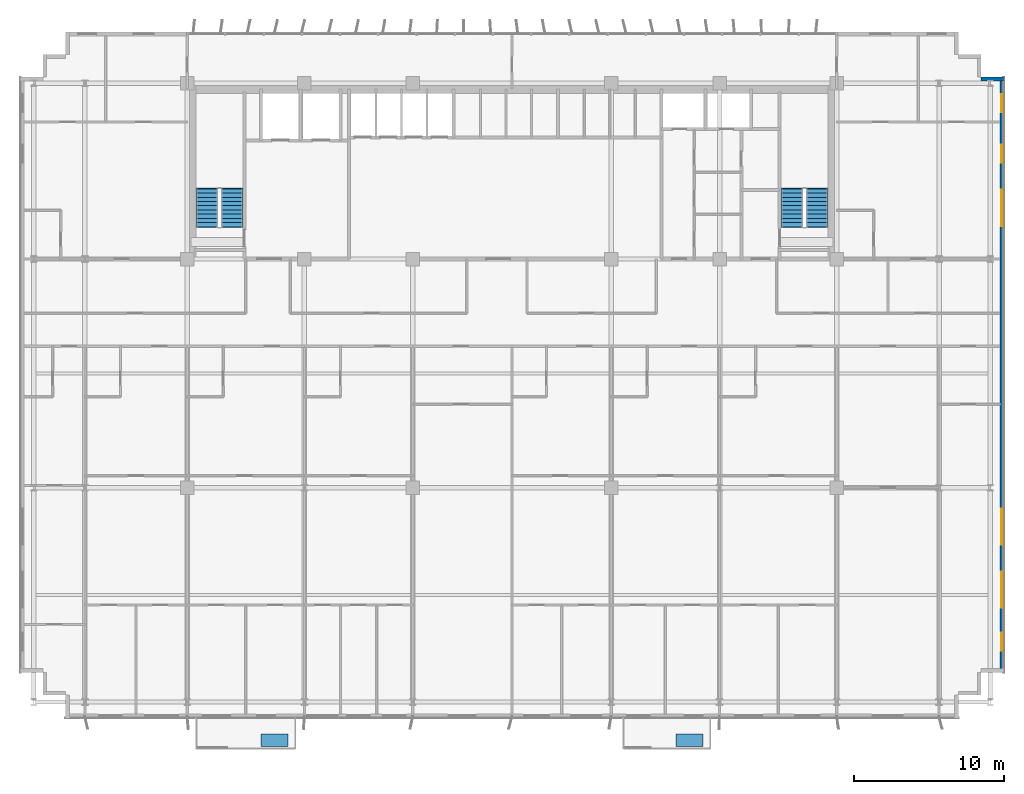
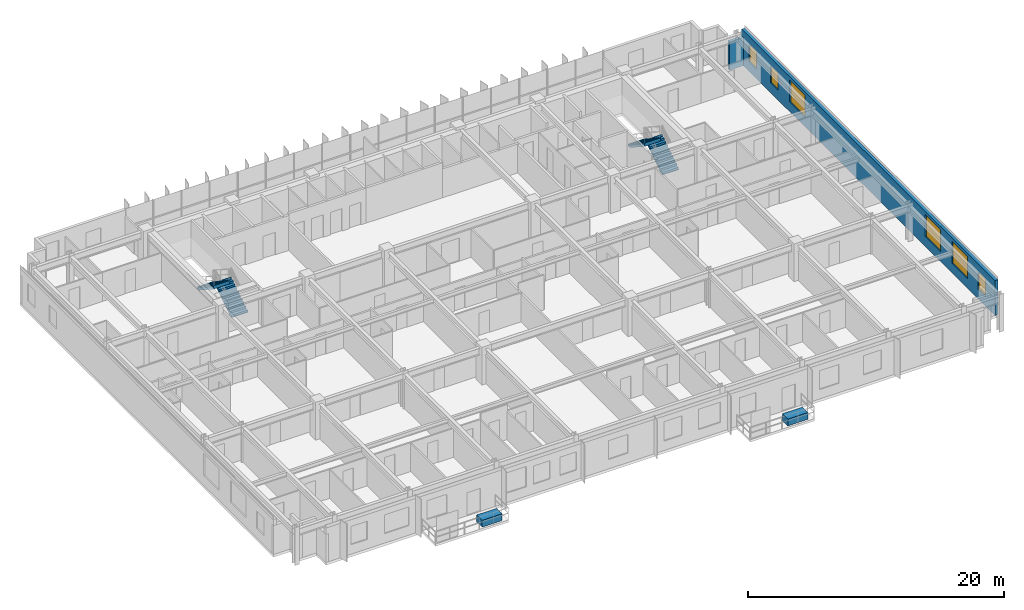
# One storey, part 21 of 24: 6 windows, 4 stair flights, 2 discrete accessories, 2 walls, 6 openings, 2 elements without a shape of their own.
"""IFC4 building model written with IfcOpenShell, lengths in metres."""

from ifc_helpers import new_model, si_unit, direction, frame, frame_2d, origin, origin_2d, place, context, subcontext, project, spatial, polyline, rectangle, outline, extrude, source, transform, mapped, material, layer, layer_set, type_object, element, fill, aggregate, save


model = new_model("IFC4")

# Units and contexts
model_context = context("Model", 3, precision=1e-05, world=origin(), true_north=direction((0.0, 1.0)))
body_context = subcontext(model_context, "Body", "Model", "MODEL_VIEW")
ifc_project = project(units=[si_unit("LENGTHUNIT", "METRE"), si_unit("AREAUNIT", "SQUARE_METRE"), si_unit("VOLUMEUNIT", "CUBIC_METRE"), si_unit("PLANEANGLEUNIT", "RADIAN"), si_unit("MASSUNIT", "GRAM", prefix="KILO")], contexts=[model_context])

# Site, building, storey
site_placement = place(None, origin())
site = spatial("IfcSite", under=ifc_project, at=site_placement, CompositionType="ELEMENT")
building_placement = place(site_placement, origin())
building = spatial("IfcBuilding", under=site, at=building_placement, Name="Trelvane Seafront Commons", CompositionType="ELEMENT")
storey_placement = place(building_placement, frame((0.0, 0.0, 30.699951171875)))
storey = spatial("IfcBuildingStorey", under=building, at=storey_placement, Name="L07", CompositionType="ELEMENT", Elevation=30.699951171875)

# Wall
ifc_material_1 = material(Name="Precast concrete C40/50", Category="concrete")
ifc_layer = layer(ifc_material_1, 0.260009765625, Name="ARCH-WALL-EXT260")
ifc_layer_set = layer_set([ifc_layer], Name="Precast concrete C40/50")
wall_type = type_object("IfcWallType", Name="ARCH-WALL-EXT260", PredefinedType="SOLIDWALL", material=ifc_layer_set)
wall_1_placement = place(storey_placement, frame((68.39990234375, 45.3701171875, 0.0), z_axis=(0.0, 0.0, 1.0), x_axis=(1.0, 0.0, 0.0)))
element("IfcWall", 1, at=wall_1_placement, inside=storey, type_object=wall_type, Name="EW-L07-00100", PredefinedType="SOLIDWALL", context=body_context, shape_type="SweptSolid", body=[
    extrude(rectangle(XDim=1.5, YDim=0.260009765625, at=frame_2d((0.75, 0.0))), origin(), (0.0, 0.0, 1.0), 2.68994140625),
])

# Wall, openings, windows
wall_2_placement = place(storey_placement, frame((69.77001953125, 45.5, 0.0), z_axis=(0.0, 0.0, 1.0), x_axis=(0.0, -1.0, 0.0)))
wall_2 = element("IfcWall", 2, at=wall_2_placement, inside=storey, type_object=wall_type, Name="EW-L07-00101", PredefinedType="SOLIDWALL", context=body_context, shape_type="SweptSolid", body=[
    extrude(rectangle(XDim=39.60009765625, YDim=0.260009765625, at=frame_2d((19.800048828125, 0.0))), origin(), (0.0, 0.0, 1.0), 3.340087890625),
])
opening_1_placement = place(wall_2_placement, frame((36.949951171875, 0.0, 0.919921875)))
opening_1 = element("IfcOpeningElement", 3, at=opening_1_placement, cuts=wall_2, Name="Opening W05", PredefinedType="OPENING", context=body_context, shape_type="SweptSolid", body=[
    extrude(rectangle(XDim=1.199951171875, YDim=1.64990234375, at=frame_2d((0.60009765625, 0.824951171875))), frame((0.0, 0.139892578125, 0.0), z_axis=(0.0, -1.0, 0.0), x_axis=(1.0, 0.0, 0.0)), (0.0, 0.0, 1.0), 0.280029296875),
])
opening_2_placement = place(wall_2_placement, frame((32.89990234375, 0.0, 0.919921875)))
opening_2 = element("IfcOpeningElement", 4, at=opening_2_placement, cuts=wall_2, Name="Opening W08", PredefinedType="OPENING", context=body_context, shape_type="SweptSolid", body=[
    extrude(rectangle(XDim=2.39990234375, YDim=2.10009765625, at=frame_2d((1.199951171875, 1.050048828125))), frame((0.0, 0.139892578125, 0.0), z_axis=(0.0, -1.0, 0.0), x_axis=(1.0, 0.0, 0.0)), (0.0, 0.0, 1.0), 0.280029296875),
])
opening_3_placement = place(wall_2_placement, frame((28.699951171875, 0.0, 0.919921875)))
opening_3 = element("IfcOpeningElement", 5, at=opening_3_placement, cuts=wall_2, Name="Opening W08", PredefinedType="OPENING", context=body_context, shape_type="SweptSolid", body=[
    extrude(rectangle(XDim=2.39990234375, YDim=2.10009765625, at=frame_2d((1.199951171875, 1.050048828125))), frame((0.0, 0.139892578125, 0.0), z_axis=(0.0, -1.0, 0.0), x_axis=(1.0, 0.0, 0.0)), (0.0, 0.0, 1.0), 0.280029296875),
])
opening_4_placement = place(wall_2_placement, frame((7.5, 0.0, 0.919921875)))
opening_4 = element("IfcOpeningElement", 6, at=opening_4_placement, cuts=wall_2, Name="Opening W08", PredefinedType="OPENING", context=body_context, shape_type="SweptSolid", body=[
    extrude(rectangle(XDim=2.39990234375, YDim=2.10009765625, at=frame_2d((1.199951171875, 1.050048828125))), frame((0.0, 0.139892578125, 0.0), z_axis=(0.0, -1.0, 0.0), x_axis=(1.0, 0.0, 0.0)), (0.0, 0.0, 1.0), 0.280029296875),
])
opening_5_placement = place(wall_2_placement, frame((4.5, 0.0, 0.919921875)))
opening_5 = element("IfcOpeningElement", 7, at=opening_5_placement, cuts=wall_2, Name="Opening W05", PredefinedType="OPENING", context=body_context, shape_type="SweptSolid", body=[
    extrude(rectangle(XDim=1.199951171875, YDim=1.64990234375, at=frame_2d((0.60009765625, 0.824951171875))), frame((0.0, 0.139892578125, 0.0), z_axis=(0.0, -1.0, 0.0), x_axis=(1.0, 0.0, 0.0)), (0.0, 0.0, 1.0), 0.280029296875),
])
opening_6_placement = place(wall_2_placement, frame((1.14990234375, 0.0, 0.919921875)))
opening_6 = element("IfcOpeningElement", 8, at=opening_6_placement, cuts=wall_2, Name="Opening W05", PredefinedType="OPENING", context=body_context, shape_type="SweptSolid", body=[
    extrude(rectangle(XDim=1.199951171875, YDim=1.64990234375, at=frame_2d((0.60009765625, 0.824951171875))), frame((0.0, 0.139892578125, 0.0), z_axis=(0.0, -1.0, 0.0), x_axis=(1.0, 0.0, 0.0)), (0.0, 0.0, 1.0), 0.280029296875),
])
ifc_material_2 = material(Name="Low-E coastal double glazing", Category="glass")
window_type_1 = type_object("IfcWindowType", Name="ARCH-WIN-W08", PartitioningType="SINGLE_PANEL", PredefinedType="WINDOW", material=ifc_material_2)
shared_shape_1 = source(origin(), body_context, "Body", "SweptSolid", [
    extrude(rectangle(XDim=2.39990234375, YDim=2.10009765625, at=frame_2d((1.199951171875, 1.050048828125))), frame((0.0, 0.030029296875, 0.0), z_axis=(0.0, -1.0, 0.0), x_axis=(1.0, 0.0, 0.0)), (0.0, 0.0, 1.0), 0.06005859375),
])
window_1_placement = place(opening_2_placement, origin())
window_1 = element("IfcWindow", 9, at=window_1_placement, inside=storey, type_object=window_type_1, Name="WIN-L07-EW-00138", OverallHeight=2.10009765625, OverallWidth=2.39990234375, PartitioningType="SINGLE_PANEL", PredefinedType="WINDOW", context=body_context, shape_type="MappedRepresentation", body=[
    mapped(shared_shape_1, transform((0.0, 0.0, 0.0), x_axis=(1.0, 0.0, 0.0), y_axis=(0.0, 1.0, 0.0), z_axis=(0.0, 0.0, 1.0), scale=1.0)),
])
fill(opening_2, window_1)
window_2_placement = place(opening_3_placement, origin())
window_2 = element("IfcWindow", 10, at=window_2_placement, inside=storey, type_object=window_type_1, Name="WIN-L07-EW-00139", OverallHeight=2.10009765625, OverallWidth=2.39990234375, PartitioningType="SINGLE_PANEL", PredefinedType="WINDOW", context=body_context, shape_type="MappedRepresentation", body=[
    mapped(shared_shape_1, transform((0.0, 0.0, 0.0), x_axis=(1.0, 0.0, 0.0), y_axis=(0.0, 1.0, 0.0), z_axis=(0.0, 0.0, 1.0), scale=1.0)),
])
fill(opening_3, window_2)
window_3_placement = place(opening_4_placement, origin())
window_3 = element("IfcWindow", 11, at=window_3_placement, inside=storey, type_object=window_type_1, Name="WIN-L07-EW-00140", OverallHeight=2.10009765625, OverallWidth=2.39990234375, PartitioningType="SINGLE_PANEL", PredefinedType="WINDOW", context=body_context, shape_type="MappedRepresentation", body=[
    mapped(shared_shape_1, transform((0.0, 0.0, 0.0), x_axis=(1.0, 0.0, 0.0), y_axis=(0.0, 1.0, 0.0), z_axis=(0.0, 0.0, 1.0), scale=1.0)),
])
fill(opening_4, window_3)
window_type_2 = type_object("IfcWindowType", Name="ARCH-WIN-W05", PartitioningType="SINGLE_PANEL", PredefinedType="WINDOW", material=ifc_material_2)
shared_shape_2 = source(origin(), body_context, "Body", "SweptSolid", [
    extrude(rectangle(XDim=1.199951171875, YDim=1.64990234375, at=frame_2d((0.60009765625, 0.824951171875))), frame((0.0, 0.030029296875, 0.0), z_axis=(0.0, -1.0, 0.0), x_axis=(1.0, 0.0, 0.0)), (0.0, 0.0, 1.0), 0.06005859375),
])
window_4_placement = place(opening_1_placement, origin())
window_4 = element("IfcWindow", 12, at=window_4_placement, inside=storey, type_object=window_type_2, Name="WIN-L07-EW-00137", OverallHeight=1.64990234375, OverallWidth=1.199951171875, PartitioningType="SINGLE_PANEL", PredefinedType="WINDOW", context=body_context, shape_type="MappedRepresentation", body=[
    mapped(shared_shape_2, transform((0.0, 0.0, 0.0), x_axis=(1.0, 0.0, 0.0), y_axis=(0.0, 1.0, 0.0), z_axis=(0.0, 0.0, 1.0), scale=1.0)),
])
fill(opening_1, window_4)
window_5_placement = place(opening_5_placement, origin())
window_5 = element("IfcWindow", 13, at=window_5_placement, inside=storey, type_object=window_type_2, Name="WIN-L07-EW-00141", OverallHeight=1.64990234375, OverallWidth=1.199951171875, PartitioningType="SINGLE_PANEL", PredefinedType="WINDOW", context=body_context, shape_type="MappedRepresentation", body=[
    mapped(shared_shape_2, transform((0.0, 0.0, 0.0), x_axis=(1.0, 0.0, 0.0), y_axis=(0.0, 1.0, 0.0), z_axis=(0.0, 0.0, 1.0), scale=1.0)),
])
fill(opening_5, window_5)
window_6_placement = place(opening_6_placement, origin())
window_6 = element("IfcWindow", 14, at=window_6_placement, inside=storey, type_object=window_type_2, Name="WIN-L07-EW-00142", OverallHeight=1.64990234375, OverallWidth=1.199951171875, PartitioningType="SINGLE_PANEL", PredefinedType="WINDOW", context=body_context, shape_type="MappedRepresentation", body=[
    mapped(shared_shape_2, transform((0.0, 0.0, 0.0), x_axis=(1.0, 0.0, 0.0), y_axis=(0.0, 1.0, 0.0), z_axis=(0.0, 0.0, 1.0), scale=1.0)),
])
fill(opening_6, window_6)

# Stair, stair flights
ifc_material_3 = material(Name="Concrete C40/50", Category="concrete")
stair_type_1 = type_object("IfcStairType", Name="ARCH-STR-ST-1-R20-180", PredefinedType="HALF_TURN_STAIR", material=ifc_material_3)
stair_1_placement = place(storey_placement, origin())
stair_1 = element("IfcStair", 15, at=stair_1_placement, inside=storey, type_object=stair_type_1, Name="L07 West Protected Firefighting Exit Stair ST-1", PredefinedType="HALF_TURN_STAIR")
stair_flight_type_1 = type_object("IfcStairFlightType", Name="ARCH-FLG-ST-1-R20-180", PredefinedType="STRAIGHT", material=ifc_material_3)
shared_shape_3 = source(origin(), body_context, "Body", "SweptSolid", [
    extrude(outline(polyline([(-0.050048828125, -0.02001953125), (-0.050048828125, 0.0), (0.0, 0.0), (0.0, 0.179931640625), (0.280029296875, 0.179931640625), (0.280029296875, 0.360107421875), (0.56005859375, 0.360107421875), (0.56005859375, 0.5400390625), (0.840087890625, 0.5400390625), (0.840087890625, 0.719970703125), (1.1201171875, 0.719970703125), (1.1201171875, 0.89990234375), (1.39990234375, 0.89990234375), (1.39990234375, 1.080078125), (1.679931640625, 1.080078125), (1.679931640625, 1.260009765625), (1.9599609375, 1.260009765625), (1.9599609375, 1.43994140625), (2.239990234375, 1.43994140625), (2.239990234375, 1.6201171875), (2.52001953125, 1.6201171875), (2.52001953125, 1.800048828125), (2.570068359375, 1.800048828125), (2.570068359375, 1.650146484375), (2.52001953125, 1.44189453125), (0.277099609375, -0.02001953125), (-0.050048828125, -0.02001953125)])), frame((0.0, 0.72509765625, 0.0), z_axis=(0.0, -1.0, 0.0), x_axis=(1.0, 0.0, 0.0)), (0.0, 0.0, 1.0), 1.449951171875),
])
stair_flight_1_placement = place(storey_placement, frame((18.574951171875, 35.550048828125, 0.0), z_axis=(0.0, 0.0, 1.0), x_axis=(0.0, 1.0, 0.0)))
stair_flight_1 = element("IfcStairFlight", 16, at=stair_flight_1_placement, type_object=stair_flight_type_1, Name="ST-1 flight 1", NumberOfRisers=10, NumberOfTreads=9, PredefinedType="STRAIGHT", RiserHeight=0.18, TreadLength=0.28, context=body_context, shape_type="MappedRepresentation", body=[
    mapped(shared_shape_3, transform((0.0, 0.0, 0.0), x_axis=(1.0, 0.0, 0.0), y_axis=(0.0, 1.0, 0.0), z_axis=(0.0, 0.0, 1.0), scale=1.0)),
])
stair_flight_2_placement = place(storey_placement, frame((16.925048828125, 38.070068359375, 1.800048828125), z_axis=(0.0, 0.0, 1.0), x_axis=(0.0, -1.0, 0.0)))
stair_flight_2 = element("IfcStairFlight", 17, at=stair_flight_2_placement, type_object=stair_flight_type_1, Name="ST-1 flight 2", NumberOfRisers=10, NumberOfTreads=9, PredefinedType="STRAIGHT", RiserHeight=0.18, TreadLength=0.28, context=body_context, shape_type="MappedRepresentation", body=[
    mapped(shared_shape_3, transform((0.0, 0.0, 0.0), x_axis=(1.0, 0.0, 0.0), y_axis=(0.0, 1.0, 0.0), z_axis=(0.0, 0.0, 1.0), scale=1.0)),
])
aggregate(stair_1, [stair_flight_1, stair_flight_2])

stair_type_2 = type_object("IfcStairType", Name="ARCH-STR-ST-2-R20-180", PredefinedType="HALF_TURN_STAIR", material=ifc_material_3)
stair_2_placement = place(storey_placement, origin())
stair_2 = element("IfcStair", 18, at=stair_2_placement, inside=storey, type_object=stair_type_2, Name="L07 East Protected Firefighting Exit Stair ST-2", PredefinedType="HALF_TURN_STAIR")
stair_flight_type_2 = type_object("IfcStairFlightType", Name="ARCH-FLG-ST-2-R20-180", PredefinedType="STRAIGHT", material=ifc_material_3)
stair_flight_3_placement = place(storey_placement, frame((57.47509765625, 35.550048828125, 0.0), z_axis=(0.0, 0.0, 1.0), x_axis=(0.0, 1.0, 0.0)))
stair_flight_3 = element("IfcStairFlight", 19, at=stair_flight_3_placement, type_object=stair_flight_type_2, Name="ST-2 flight 1", NumberOfRisers=10, NumberOfTreads=9, PredefinedType="STRAIGHT", RiserHeight=0.18, TreadLength=0.28, context=body_context, shape_type="MappedRepresentation", body=[
    mapped(shared_shape_3, transform((0.0, 0.0, 0.0), x_axis=(1.0, 0.0, 0.0), y_axis=(0.0, 1.0, 0.0), z_axis=(0.0, 0.0, 1.0), scale=1.0)),
])
stair_flight_4_placement = place(storey_placement, frame((55.824951171875, 38.070068359375, 1.800048828125), z_axis=(0.0, 0.0, 1.0), x_axis=(0.0, -1.0, 0.0)))
stair_flight_4 = element("IfcStairFlight", 20, at=stair_flight_4_placement, type_object=stair_flight_type_2, Name="ST-2 flight 2", NumberOfRisers=10, NumberOfTreads=9, PredefinedType="STRAIGHT", RiserHeight=0.18, TreadLength=0.28, context=body_context, shape_type="MappedRepresentation", body=[
    mapped(shared_shape_3, transform((0.0, 0.0, 0.0), x_axis=(1.0, 0.0, 0.0), y_axis=(0.0, 1.0, 0.0), z_axis=(0.0, 0.0, 1.0), scale=1.0)),
])
aggregate(stair_2, [stair_flight_3, stair_flight_4])

# Discrete accessories
discrete_accessory_type = type_object("IfcDiscreteAccessoryType", Name="ARCH-ACC-PLANTER", PredefinedType="USERDEFINED", material=ifc_material_1)
shared_shape_4 = source(origin(), body_context, "Body", "SweptSolid", [
    extrude(rectangle(XDim=1.800048828125, YDim=0.85009765625, at=origin_2d()), origin(), (0.0, 0.0, 1.0), 0.64990234375),
])
for number, where, z_axis, x_axis, name in (
    (21, (21.39990234375, 1.39990234375, 0.0), (0.0, 0.0, 1.0), (1.0, 0.0, 0.0), "PLN-L07-B0-009"),
    (22, (49.0, 1.39990234375, 0.0), (0.0, 0.0, 1.0), (1.0, 0.0, 0.0), "PLN-L07-B1-010"),
):
    element("IfcDiscreteAccessory", number, at=place(storey_placement, frame(where, z_axis=z_axis, x_axis=x_axis)), inside=storey, type_object=discrete_accessory_type, Name=name, ObjectType="BALCONY TREE PLANTER", PredefinedType="USERDEFINED", context=body_context, shape_type="MappedRepresentation", body=[
        mapped(shared_shape_4, transform((0.0, 0.0, 0.0), x_axis=(1.0, 0.0, 0.0), y_axis=(0.0, 1.0, 0.0), z_axis=(0.0, 0.0, 1.0), scale=1.0)),
    ])

save(model, "model.ifc")
